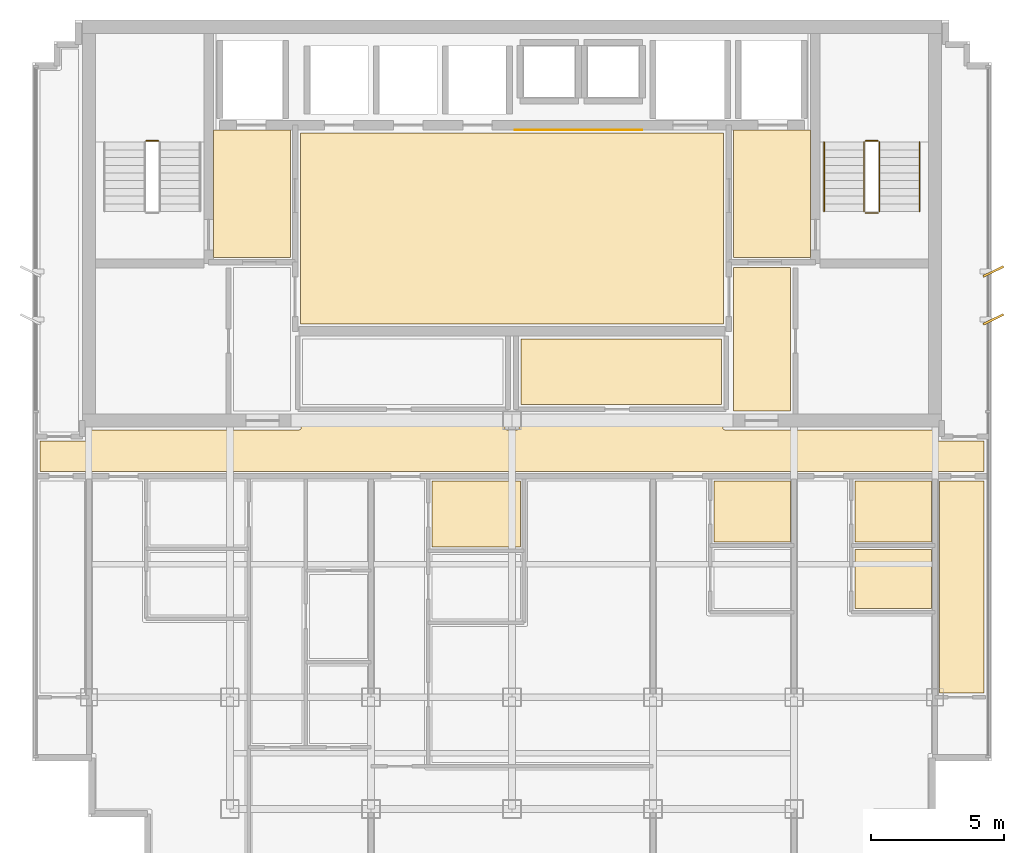
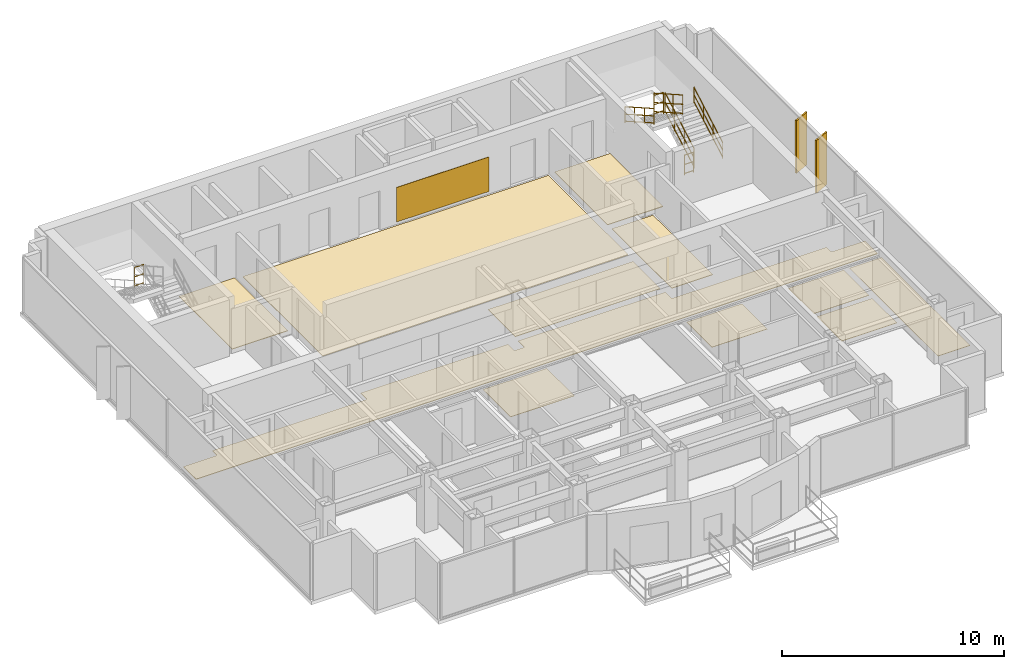
# One storey, part 10 of 10: 12 coverings, 7 railings, 2 shading devices.
"""IFC4 building model written with IfcOpenShell, lengths in metres."""

from ifc_helpers import new_model, si_unit, direction, frame, origin, origin_2d, place, context, subcontext, project, spatial, polyline, rectangle, circle, outline, extrude, source, transform, mapped, material, layer, layer_set, type_object, element, save


model = new_model("IFC4")

# Units and contexts
model_context = context("Model", 3, precision=1e-05, world=origin(), true_north=direction((0.0, 1.0)))
body_context = subcontext(model_context, "Body", "Model", "MODEL_VIEW")
ifc_project = project(units=[si_unit("LENGTHUNIT", "METRE"), si_unit("AREAUNIT", "SQUARE_METRE"), si_unit("VOLUMEUNIT", "CUBIC_METRE"), si_unit("PLANEANGLEUNIT", "RADIAN"), si_unit("MASSUNIT", "GRAM", prefix="KILO")], contexts=[model_context])

# Site, building, storey
site_placement = place(None, origin())
site = spatial("IfcSite", under=ifc_project, at=site_placement, CompositionType="ELEMENT")
building_placement = place(site_placement, origin())
building = spatial("IfcBuilding", under=site, at=building_placement, Name="Qianlan Lanfeng Residences", CompositionType="ELEMENT")
storey_placement = place(building_placement, frame((0.0, 0.0, 239.60009765625)))
storey = spatial("IfcBuildingStorey", under=building, at=storey_placement, Name="L66", CompositionType="ELEMENT", Elevation=239.60009765625)

# Coverings
ifc_material_1 = material(Name="Anodised Bronze Feature Wall Cladding")
ifc_layer_1 = layer(ifc_material_1, 0.02490234375)
ifc_layer_set_1 = layer_set([ifc_layer_1], Name="Anodised Bronze Feature Wall Cladding")
covering_type_1 = type_object("IfcCoveringType", Name="CLD-BRZ-25", PredefinedType="CLADDING", material=ifc_layer_set_1)
covering_1_placement = place(storey_placement, frame((0.0, 0.0, 0.14990234375)))
element("IfcCovering", 1, at=covering_1_placement, inside=storey, type_object=covering_type_1, Name="L66 Lift Lobby Bronze Feature Cladding", PredefinedType="CLADDING", context=body_context, shape_type="SweptSolid", body=[
    extrude(outline(polyline([(26.60009765625, 36.10009765625), (31.39990234375, 36.10009765625), (31.39990234375, 36.125), (26.60009765625, 36.125), (26.60009765625, 36.10009765625)])), origin(), (0.0, 0.0, 1.0), 1.89990234375),
])
ifc_material_2 = material(Name="Honed Taitung Granite Stone Flooring", Category="masonry")
ifc_layer_2 = layer(ifc_material_2, 0.030029296875)
ifc_layer_set_2 = layer_set([ifc_layer_2], Name="Honed Taitung Granite Stone Flooring")
covering_type_2 = type_object("IfcCoveringType", Name="FLR-STN-30", PredefinedType="FLOORING", material=ifc_layer_set_2)
covering_2_placement = place(storey_placement, origin())
element("IfcCovering", 2, at=covering_2_placement, inside=storey, type_object=covering_type_2, Name="L66 Firefighting Lift Lobby Floor Finish", PredefinedType="FLOORING", context=body_context, shape_type="SweptSolid", body=[
    extrude(outline(polyline([(15.2900390625, 31.320068359375), (18.179931640625, 31.320068359375), (18.179931640625, 36.110107421875), (15.2900390625, 36.110107421875), (15.2900390625, 31.320068359375)])), origin(), (0.0, 0.0, 1.0), 0.02978515625),
])
covering_3_placement = place(storey_placement, origin())
element("IfcCovering", 3, at=covering_3_placement, inside=storey, type_object=covering_type_2, Name="L66 Firefighting Lift Lobby Floor Finish", PredefinedType="FLOORING", context=body_context, shape_type="SweptSolid", body=[
    extrude(outline(polyline([(34.820068359375, 31.320068359375), (37.7099609375, 31.320068359375), (37.7099609375, 36.110107421875), (34.820068359375, 36.110107421875), (34.820068359375, 31.320068359375)])), origin(), (0.0, 0.0, 1.0), 0.02978515625),
])
covering_4_placement = place(storey_placement, origin())
element("IfcCovering", 4, at=covering_4_placement, inside=storey, type_object=covering_type_2, Name="L66 Lift Lobby Floor Finish", PredefinedType="FLOORING", context=body_context, shape_type="SweptSolid", body=[
    extrude(outline(polyline([(18.550048828125, 28.820068359375), (34.449951171875, 28.820068359375), (34.449951171875, 36.010009765625), (18.550048828125, 36.010009765625), (18.550048828125, 28.820068359375)])), origin(), (0.0, 0.0, 1.0), 0.02978515625),
])
covering_5_placement = place(storey_placement, origin())
element("IfcCovering", 5, at=covering_5_placement, inside=storey, type_object=covering_type_2, Name="L66 Residential Corridor Floor Finish", PredefinedType="FLOORING", context=body_context, shape_type="SweptSolid", body=[
    extrude(outline(polyline([(8.77001953125, 23.280029296875), (44.22998046875, 23.280029296875), (44.22998046875, 24.419921875), (42.5400390625, 24.419921875), (42.532958984375, 24.419921875), (42.52587890625, 24.4208984375), (42.52001953125, 24.423095703125), (42.512939453125, 24.425048828125), (42.507080078125, 24.427978515625), (42.5009765625, 24.431884765625), (42.49609375, 24.43603515625), (42.490966796875, 24.44091796875), (42.486083984375, 24.446044921875), (42.48193359375, 24.450927734375), (42.47802734375, 24.45703125), (42.47509765625, 24.462890625), (42.472900390625, 24.469970703125), (42.470947265625, 24.47607421875), (42.469970703125, 24.48291015625), (42.469970703125, 24.489990234375), (42.469970703125, 24.85009765625), (34.5, 24.85009765625), (34.492919921875, 24.85009765625), (34.486083984375, 24.85107421875), (34.47998046875, 24.85302734375), (34.472900390625, 24.85498046875), (34.467041015625, 24.85791015625), (34.4609375, 24.862060546875), (34.4560546875, 24.865966796875), (34.450927734375, 24.87109375), (34.446044921875, 24.8759765625), (34.44189453125, 24.881103515625), (34.43798828125, 24.886962890625), (34.43505859375, 24.89306640625), (34.43310546875, 24.89990234375), (34.430908203125, 24.906005859375), (34.429931640625, 24.9130859375), (34.429931640625, 24.919921875), (34.429931640625, 25.429931640625), (26.77001953125, 25.429931640625), (26.77001953125, 24.919921875), (26.77001953125, 24.9130859375), (26.76904296875, 24.906005859375), (26.76708984375, 24.89990234375), (26.764892578125, 24.89306640625), (26.761962890625, 24.886962890625), (26.758056640625, 24.881103515625), (26.75390625, 24.8759765625), (26.7490234375, 24.87109375), (26.743896484375, 24.865966796875), (26.739013671875, 24.862060546875), (26.73291015625, 24.85791015625), (26.72705078125, 24.85498046875), (26.719970703125, 24.85302734375), (26.714111328125, 24.85107421875), (26.70703125, 24.85009765625), (26.699951171875, 24.85009765625), (26.300048828125, 24.85009765625), (26.29296875, 24.85009765625), (26.285888671875, 24.85107421875), (26.280029296875, 24.85302734375), (26.27294921875, 24.85498046875), (26.26708984375, 24.85791015625), (26.260986328125, 24.862060546875), (26.256103515625, 24.865966796875), (26.2509765625, 24.87109375), (26.24609375, 24.8759765625), (26.241943359375, 24.881103515625), (26.238037109375, 24.886962890625), (26.235107421875, 24.89306640625), (26.23291015625, 24.89990234375), (26.23095703125, 24.906005859375), (26.22998046875, 24.9130859375), (26.22998046875, 24.919921875), (26.22998046875, 25.429931640625), (18.570068359375, 25.429931640625), (18.570068359375, 24.919921875), (18.570068359375, 24.9130859375), (18.569091796875, 24.906005859375), (18.56689453125, 24.89990234375), (18.56494140625, 24.89306640625), (18.56201171875, 24.886962890625), (18.55810546875, 24.881103515625), (18.553955078125, 24.8759765625), (18.549072265625, 24.87109375), (18.5439453125, 24.865966796875), (18.5390625, 24.862060546875), (18.532958984375, 24.85791015625), (18.527099609375, 24.85498046875), (18.52001953125, 24.85302734375), (18.513916015625, 24.85107421875), (18.507080078125, 24.85009765625), (18.5, 24.85009765625), (10.530029296875, 24.85009765625), (10.530029296875, 24.489990234375), (10.530029296875, 24.48291015625), (10.529052734375, 24.47607421875), (10.527099609375, 24.469970703125), (10.52490234375, 24.462890625), (10.52197265625, 24.45703125), (10.51806640625, 24.450927734375), (10.513916015625, 24.446044921875), (10.509033203125, 24.44091796875), (10.50390625, 24.43603515625), (10.4990234375, 24.431884765625), (10.492919921875, 24.427978515625), (10.487060546875, 24.425048828125), (10.47998046875, 24.423095703125), (10.47412109375, 24.4208984375), (10.467041015625, 24.419921875), (10.4599609375, 24.419921875), (8.77001953125, 24.419921875), (8.77001953125, 23.280029296875)])), origin(), (0.0, 0.0, 1.0), 0.02978515625),
])
covering_6_placement = place(storey_placement, origin())
element("IfcCovering", 6, at=covering_6_placement, inside=storey, type_object=covering_type_2, Name="L66 Lift Lobby Floor Finish", PredefinedType="FLOORING", context=body_context, shape_type="SweptSolid", body=[
    extrude(outline(polyline([(34.830078125, 25.56005859375), (36.969970703125, 25.56005859375), (36.969970703125, 30.949951171875), (34.830078125, 30.949951171875), (34.830078125, 25.56005859375)])), origin(), (0.0, 0.0, 1.0), 0.02978515625),
])
ifc_material_3 = material(Name="Slip-Resistant Porcelain Tile Flooring")
ifc_layer_3 = layer(ifc_material_3, 0.02001953125)
ifc_layer_set_3 = layer_set([ifc_layer_3], Name="Slip-Resistant Porcelain Tile Flooring")
covering_type_3 = type_object("IfcCoveringType", Name="FLR-TIL-20", PredefinedType="FLOORING", material=ifc_layer_set_3)
covering_7_placement = place(storey_placement, origin())
element("IfcCovering", 7, at=covering_7_placement, inside=storey, type_object=covering_type_3, Name="L66 Bathroom Floor Finish", PredefinedType="FLOORING", context=body_context, shape_type="SweptSolid", body=[
    extrude(outline(polyline([(23.489990234375, 20.43994140625), (26.81005859375, 20.43994140625), (26.81005859375, 22.929931640625), (23.489990234375, 22.929931640625), (23.489990234375, 20.43994140625)])), origin(), (0.0, 0.0, 1.0), 0.02001953125),
])
covering_8_placement = place(storey_placement, origin())
element("IfcCovering", 8, at=covering_8_placement, inside=storey, type_object=covering_type_3, Name="L66 Bathroom Floor Finish", PredefinedType="FLOORING", context=body_context, shape_type="SweptSolid", body=[
    extrude(outline(polyline([(34.090087890625, 20.639892578125), (36.9599609375, 20.639892578125), (36.9599609375, 22.929931640625), (34.090087890625, 22.929931640625), (34.090087890625, 20.639892578125)])), origin(), (0.0, 0.0, 1.0), 0.02001953125),
])
covering_9_placement = place(storey_placement, origin())
element("IfcCovering", 9, at=covering_9_placement, inside=storey, type_object=covering_type_3, Name="L66 Kitchen Floor Finish", PredefinedType="FLOORING", context=body_context, shape_type="SweptSolid", body=[
    extrude(outline(polyline([(39.389892578125, 18.139892578125), (42.260009765625, 18.139892578125), (42.260009765625, 20.360107421875), (39.389892578125, 20.360107421875), (39.389892578125, 18.139892578125)])), origin(), (0.0, 0.0, 1.0), 0.02001953125),
])
covering_10_placement = place(storey_placement, origin())
element("IfcCovering", 10, at=covering_10_placement, inside=storey, type_object=covering_type_3, Name="L66 Bathroom Floor Finish", PredefinedType="FLOORING", context=body_context, shape_type="SweptSolid", body=[
    extrude(outline(polyline([(39.389892578125, 20.639892578125), (42.260009765625, 20.639892578125), (42.260009765625, 22.929931640625), (39.389892578125, 22.929931640625), (39.389892578125, 20.639892578125)])), origin(), (0.0, 0.0, 1.0), 0.02001953125),
])
ifc_material_4 = material(Name="Engineered Smoked Oak Timber Flooring", Category="wood")
ifc_layer_4 = layer(ifc_material_4, 0.02197265625)
ifc_layer_set_4 = layer_set([ifc_layer_4], Name="Engineered Smoked Oak Timber Flooring")
covering_type_4 = type_object("IfcCoveringType", Name="FLR-TIM-22", PredefinedType="FLOORING", material=ifc_layer_set_4)
covering_11_placement = place(storey_placement, origin())
element("IfcCovering", 11, at=covering_11_placement, inside=storey, type_object=covering_type_4, Name="L66 Panoramic Sky Foyer Salon Floor Finish", PredefinedType="FLOORING", context=body_context, shape_type="SweptSolid", body=[
    extrude(outline(polyline([(26.830078125, 25.800048828125), (34.3701171875, 25.800048828125), (34.3701171875, 28.2548828125), (26.830078125, 28.2548828125), (26.830078125, 25.800048828125)])), origin(), (0.0, 0.0, 1.0), 0.02197265625),
])
covering_12_placement = place(storey_placement, origin())
element("IfcCovering", 12, at=covering_12_placement, inside=storey, type_object=covering_type_4, Name="L66 Private Study Floor Finish", PredefinedType="FLOORING", context=body_context, shape_type="SweptSolid", body=[
    extrude(outline(polyline([(44.22998046875, 22.929931640625), (42.56005859375, 22.929931640625), (42.56005859375, 14.949951171875), (44.22998046875, 14.949951171875), (44.22998046875, 22.929931640625)])), origin(), (0.0, 0.0, 1.0), 0.02197265625),
])

# Railings
ifc_material_5 = material(Name="Painted Galvanised Steel Guardrail", Category="steel")
railing_type_1 = type_object("IfcRailingType", Name="GR-ST-1120", PredefinedType="GUARDRAIL", material=ifc_material_5)
railing_1_placement = place(storey_placement, frame((13.219970703125, 35.7099609375, 1.64990234375)))
element("IfcRailing", 13, at=railing_1_placement, inside=storey, type_object=railing_type_1, Name="L66 ST-1 stair guard 2", PredefinedType="GUARDRAIL", context=body_context, shape_type="SweptSolid", body=[
    extrude(circle(Radius=0.02392578125, at=origin_2d()), frame((0.0, 0.0, 0.083984375), z_axis=(-1.0, 0.0, 0.0), x_axis=(0.0, -1.0, 0.0)), (0.0, 0.0, 1.0), 0.47998046875),
    extrude(circle(Radius=0.02392578125, at=origin_2d()), frame((0.0, 0.0, 0.58251953125), z_axis=(-1.0, 0.0, 0.0), x_axis=(0.0, -1.0, 0.0)), (0.0, 0.0, 1.0), 0.47998046875),
    extrude(circle(Radius=0.02392578125, at=origin_2d()), frame((0.0, 0.0, 1.09619140625), z_axis=(-1.0, 0.0, 0.0), x_axis=(0.0, -1.0, 0.0)), (0.0, 0.0, 1.0), 0.47998046875),
    extrude(circle(Radius=0.02099609375, at=origin_2d()), origin(), (0.0, 0.0, 1.0), 1.072021484375),
    extrude(circle(Radius=0.02099609375, at=origin_2d()), frame((-0.47998046875, 0.0, 0.0)), (0.0, 0.0, 1.0), 1.072021484375),
])
railing_2_placement = place(storey_placement, frame((40.31005859375, 33.050048828125, 0.164794921875)))
element("IfcRailing", 14, at=railing_2_placement, inside=storey, type_object=railing_type_1, Name="L66 ST-2 stair guard 1", PredefinedType="GUARDRAIL", context=body_context, shape_type="SweptSolid", body=[
    extrude(circle(Radius=0.02392578125, at=origin_2d()), frame((0.0, 0.0, 0.083984375), z_axis=(0.0, 0.869137319866, 0.494570843475), x_axis=(-1.0, 0.0, 0.0)), (0.0, 0.0, 1.0), 3.0029296875),
    extrude(circle(Radius=0.02392578125, at=origin_2d()), frame((0.0, 0.0, 0.58251953125), z_axis=(0.0, 0.869137319866, 0.494570843475), x_axis=(-1.0, 0.0, 0.0)), (0.0, 0.0, 1.0), 3.0029296875),
    extrude(circle(Radius=0.02392578125, at=origin_2d()), frame((0.0, 0.0, 1.09619140625), z_axis=(0.0, 0.869137319866, 0.494570843475), x_axis=(-1.0, 0.0, 0.0)), (0.0, 0.0, 1.0), 3.0029296875),
    extrude(circle(Radius=0.02099609375, at=origin_2d()), origin(), (0.0, 0.0, 1.0), 1.072021484375),
    extrude(circle(Radius=0.02099609375, at=origin_2d()), frame((0.0, 0.869873046875, 0.4951171875)), (0.0, 0.0, 1.0), 1.072021484375),
    extrude(circle(Radius=0.02099609375, at=origin_2d()), frame((0.0, 1.739990234375, 0.989990234375)), (0.0, 0.0, 1.0), 1.072021484375),
    extrude(circle(Radius=0.02099609375, at=origin_2d()), frame((0.0, 2.60986328125, 1.485107421875)), (0.0, 0.0, 1.0), 1.072021484375),
])
railing_3_placement = place(storey_placement, frame((40.260009765625, 35.7099609375, 1.64990234375)))
element("IfcRailing", 15, at=railing_3_placement, inside=storey, type_object=railing_type_1, Name="L66 ST-2 stair guard 2", PredefinedType="GUARDRAIL", context=body_context, shape_type="SweptSolid", body=[
    extrude(circle(Radius=0.02392578125, at=origin_2d()), frame((0.0, 0.0, 0.083984375), z_axis=(-1.0, 0.0, 0.0), x_axis=(0.0, -1.0, 0.0)), (0.0, 0.0, 1.0), 0.47998046875),
    extrude(circle(Radius=0.02392578125, at=origin_2d()), frame((0.0, 0.0, 0.58251953125), z_axis=(-1.0, 0.0, 0.0), x_axis=(0.0, -1.0, 0.0)), (0.0, 0.0, 1.0), 0.47998046875),
    extrude(circle(Radius=0.02392578125, at=origin_2d()), frame((0.0, 0.0, 1.09619140625), z_axis=(-1.0, 0.0, 0.0), x_axis=(0.0, -1.0, 0.0)), (0.0, 0.0, 1.0), 0.47998046875),
    extrude(circle(Radius=0.02099609375, at=origin_2d()), origin(), (0.0, 0.0, 1.0), 1.072021484375),
    extrude(circle(Radius=0.02099609375, at=origin_2d()), frame((-0.47998046875, 0.0, 0.0)), (0.0, 0.0, 1.0), 1.072021484375),
])
railing_4_placement = place(storey_placement, frame((39.72998046875, 35.659912109375, 1.81494140625)))
element("IfcRailing", 16, at=railing_4_placement, inside=storey, type_object=railing_type_1, Name="L66 ST-2 stair guard 3", PredefinedType="GUARDRAIL", context=body_context, shape_type="SweptSolid", body=[
    extrude(circle(Radius=0.02392578125, at=origin_2d()), frame((0.0, 0.0, 0.083984375), z_axis=(0.0, -0.869172267526, 0.494509422927), x_axis=(1.0, 0.0, 0.0)), (0.0, 0.0, 1.0), 3.002685546875),
    extrude(circle(Radius=0.02392578125, at=origin_2d()), frame((0.0, 0.0, 0.58251953125), z_axis=(0.0, -0.869172267526, 0.494509422927), x_axis=(1.0, 0.0, 0.0)), (0.0, 0.0, 1.0), 3.002685546875),
    extrude(circle(Radius=0.02392578125, at=origin_2d()), frame((0.0, 0.0, 1.09619140625), z_axis=(0.0, -0.869172267526, 0.494509422927), x_axis=(1.0, 0.0, 0.0)), (0.0, 0.0, 1.0), 3.002685546875),
    extrude(circle(Radius=0.02099609375, at=origin_2d()), origin(), (0.0, 0.0, 1.0), 1.072021484375),
    extrude(circle(Radius=0.02099609375, at=origin_2d()), frame((0.0, -0.869873046875, 0.494873046875)), (0.0, 0.0, 1.0), 1.072021484375),
    extrude(circle(Radius=0.02099609375, at=origin_2d()), frame((0.0, -1.739990234375, 0.989990234375)), (0.0, 0.0, 1.0), 1.072021484375),
    extrude(circle(Radius=0.02099609375, at=origin_2d()), frame((0.0, -2.60986328125, 1.48486328125)), (0.0, 0.0, 1.0), 1.072021484375),
])
railing_5_placement = place(storey_placement, frame((40.260009765625, 33.0, 0.0)))
element("IfcRailing", 17, at=railing_5_placement, inside=storey, type_object=railing_type_1, Name="L66 ST-2 stair guard 4", PredefinedType="GUARDRAIL", context=body_context, shape_type="SweptSolid", body=[
    extrude(circle(Radius=0.02392578125, at=origin_2d()), frame((0.0, 0.0, 0.083984375), z_axis=(-1.0, 0.0, 0.0), x_axis=(0.0, -1.0, 0.0)), (0.0, 0.0, 1.0), 0.47998046875),
    extrude(circle(Radius=0.02392578125, at=origin_2d()), frame((0.0, 0.0, 0.58251953125), z_axis=(-1.0, 0.0, 0.0), x_axis=(0.0, -1.0, 0.0)), (0.0, 0.0, 1.0), 0.47998046875),
    extrude(circle(Radius=0.02392578125, at=origin_2d()), frame((0.0, 0.0, 1.09619140625), z_axis=(-1.0, 0.0, 0.0), x_axis=(0.0, -1.0, 0.0)), (0.0, 0.0, 1.0), 0.47998046875),
    extrude(circle(Radius=0.02099609375, at=origin_2d()), origin(), (0.0, 0.0, 1.0), 1.072021484375),
    extrude(circle(Radius=0.02099609375, at=origin_2d()), frame((-0.47998046875, 0.0, 0.0)), (0.0, 0.0, 1.0), 1.072021484375),
])
ifc_material_6 = material(Name="Brushed Stainless Steel Handrail", Category="steel")
railing_type_2 = type_object("IfcRailingType", Name="HR-ST-920", PredefinedType="HANDRAIL", material=ifc_material_6)
railing_6_placement = place(storey_placement, frame((41.81005859375, 33.050048828125, 0.164794921875)))
element("IfcRailing", 18, at=railing_6_placement, inside=storey, type_object=railing_type_2, Name="L66 ST-2 stair handrail 1", PredefinedType="HANDRAIL", context=body_context, shape_type="SweptSolid", body=[
    extrude(circle(Radius=0.02392578125, at=origin_2d()), frame((0.0, 0.0, 0.083984375), z_axis=(0.0, 0.869137319866, 0.494570843475), x_axis=(-1.0, 0.0, 0.0)), (0.0, 0.0, 1.0), 3.0029296875),
    extrude(circle(Radius=0.02392578125, at=origin_2d()), frame((0.0, 0.0, 0.468017578125), z_axis=(0.0, 0.869137319866, 0.494570843475), x_axis=(-1.0, 0.0, 0.0)), (0.0, 0.0, 1.0), 3.0029296875),
    extrude(circle(Radius=0.02392578125, at=origin_2d()), frame((0.0, 0.0, 0.8759765625), z_axis=(0.0, 0.869137319866, 0.494570843475), x_axis=(-1.0, 0.0, 0.0)), (0.0, 0.0, 1.0), 3.0029296875),
    extrude(circle(Radius=0.02099609375, at=origin_2d()), origin(), (0.0, 0.0, 1.0), 0.851806640625),
    extrude(circle(Radius=0.02099609375, at=origin_2d()), frame((0.0, 0.869873046875, 0.4951171875)), (0.0, 0.0, 1.0), 0.851806640625),
    extrude(circle(Radius=0.02099609375, at=origin_2d()), frame((0.0, 1.739990234375, 0.989990234375)), (0.0, 0.0, 1.0), 0.851806640625),
    extrude(circle(Radius=0.02099609375, at=origin_2d()), frame((0.0, 2.60986328125, 1.485107421875)), (0.0, 0.0, 1.0), 0.851806640625),
])
railing_7_placement = place(storey_placement, frame((38.22998046875, 35.659912109375, 1.81494140625)))
element("IfcRailing", 19, at=railing_7_placement, inside=storey, type_object=railing_type_2, Name="L66 ST-2 stair handrail 2", PredefinedType="HANDRAIL", context=body_context, shape_type="SweptSolid", body=[
    extrude(circle(Radius=0.02392578125, at=origin_2d()), frame((0.0, 0.0, 0.083984375), z_axis=(0.0, -0.869172267526, 0.494509422927), x_axis=(1.0, 0.0, 0.0)), (0.0, 0.0, 1.0), 3.002685546875),
    extrude(circle(Radius=0.02392578125, at=origin_2d()), frame((0.0, 0.0, 0.468017578125), z_axis=(0.0, -0.869172267526, 0.494509422927), x_axis=(1.0, 0.0, 0.0)), (0.0, 0.0, 1.0), 3.002685546875),
    extrude(circle(Radius=0.02392578125, at=origin_2d()), frame((0.0, 0.0, 0.8759765625), z_axis=(0.0, -0.869172267526, 0.494509422927), x_axis=(1.0, 0.0, 0.0)), (0.0, 0.0, 1.0), 3.002685546875),
    extrude(circle(Radius=0.02099609375, at=origin_2d()), origin(), (0.0, 0.0, 1.0), 0.851806640625),
    extrude(circle(Radius=0.02099609375, at=origin_2d()), frame((0.0, -0.869873046875, 0.494873046875)), (0.0, 0.0, 1.0), 0.851806640625),
    extrude(circle(Radius=0.02099609375, at=origin_2d()), frame((0.0, -1.739990234375, 0.989990234375)), (0.0, 0.0, 1.0), 0.851806640625),
    extrude(circle(Radius=0.02099609375, at=origin_2d()), frame((0.0, -2.60986328125, 1.48486328125)), (0.0, 0.0, 1.0), 0.851806640625),
])

# Shading devices
ifc_material_7 = material(Name="Anodised Bronze Aluminium Solar Fin", Category="aluminium")
shading_device_type = type_object("IfcShadingDeviceType", Name="FIN-BRZ-850", PredefinedType="SHUTTER", material=ifc_material_7)
shared_shape = source(origin(), body_context, "Body", "SweptSolid", [
    extrude(rectangle(XDim=0.85009765625, YDim=0.080078125, at=origin_2d()), origin(), (0.0, 0.0, 1.0), 2.89990234375),
])
for number, where, z_axis, x_axis, name in (
    (20, (44.590087890625, 29.0, 0.0), (0.0, 0.0, 1.0), (0.898794046299, 0.438371146789, 0.0), "L66 Raked Bronze Solar Fin E1"),
    (21, (44.590087890625, 30.800048828125, 0.0), (0.0, 0.0, 1.0), (0.898794046299, 0.438371146789, 0.0), "L66 Raked Bronze Solar Fin E2"),
):
    element("IfcShadingDevice", number, at=place(storey_placement, frame(where, z_axis=z_axis, x_axis=x_axis)), inside=storey, type_object=shading_device_type, Name=name, PredefinedType="SHUTTER", context=body_context, shape_type="MappedRepresentation", body=[
        mapped(shared_shape, transform((0.0, 0.0, 0.0), scale=1.0)),
    ])

save(model, "model.ifc")
